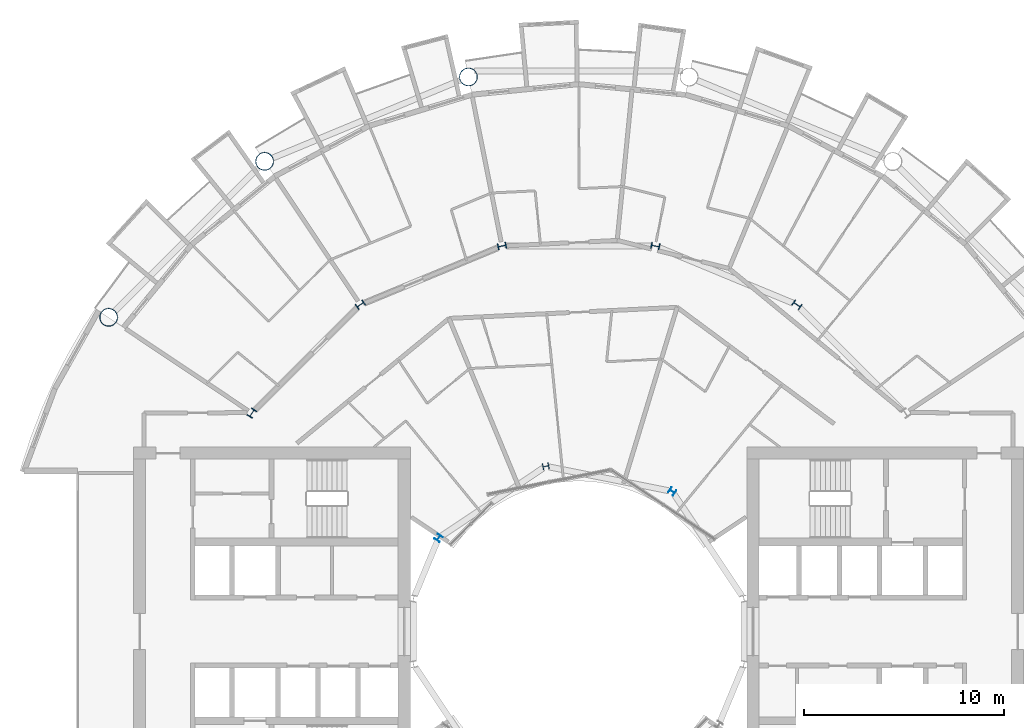
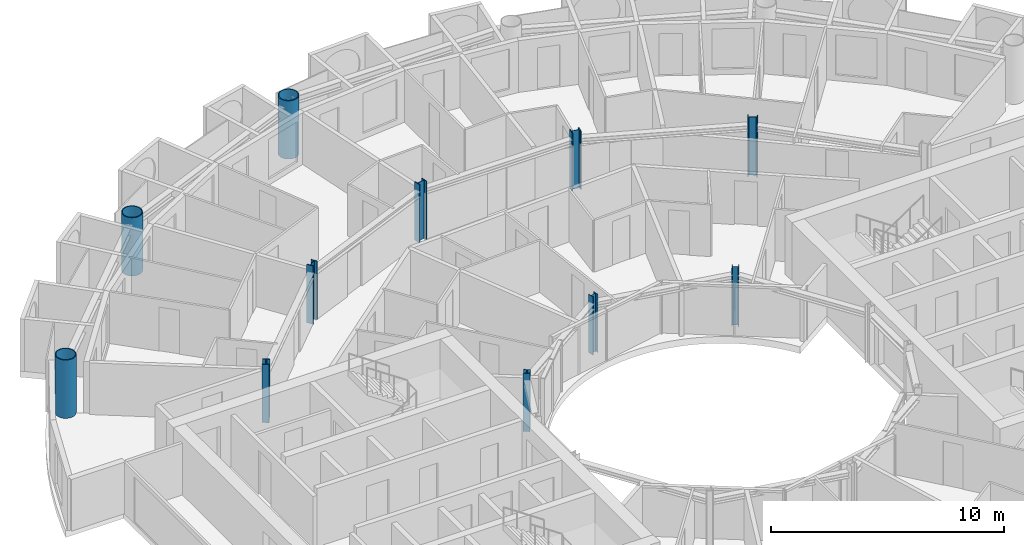
# One storey, part 3 of 27: 11 columns.
"""IFC4 building model written with IfcOpenShell, lengths in metres."""

from ifc_helpers import new_model, si_unit, direction, frame, origin, origin_2d, place, context, subcontext, project, spatial, hollow_circle, i_section, extrude, material, material_profile, profile_set, type_object, element, save


model = new_model("IFC4")

# Units and contexts
model_context = context("Model", 3, precision=1e-05, world=origin(), true_north=direction((0.0, 1.0)))
body_context = subcontext(model_context, "Body", "Model", "MODEL_VIEW")
ifc_project = project(units=[si_unit("LENGTHUNIT", "METRE"), si_unit("AREAUNIT", "SQUARE_METRE"), si_unit("VOLUMEUNIT", "CUBIC_METRE"), si_unit("PLANEANGLEUNIT", "RADIAN"), si_unit("MASSUNIT", "GRAM", prefix="KILO")], contexts=[model_context])

# Site, building, storey
site_placement = place(None, origin())
site = spatial("IfcSite", under=ifc_project, at=site_placement, CompositionType="ELEMENT")
building_placement = place(site_placement, origin())
building = spatial("IfcBuilding", under=site, at=building_placement, Name="Maasbend Ring Residences", CompositionType="ELEMENT")
storey_placement = place(building_placement, frame((0.0, 0.0, 111.64990234375)))
storey = spatial("IfcBuildingStorey", under=building, at=storey_placement, Name="L31", CompositionType="ELEMENT", Elevation=111.64990234375)

# Columns
ifc_material_1 = material(Name="Composite concrete-filled steel tube S460NH / C80/95", Category="concrete")
ifc_material_profile_1 = material_profile(ifc_material_1, hollow_circle(Radius=0.45703125, WallThickness=0.0400390625, at=origin_2d()), Name="Composite tube column CHS 914x40")
ifc_profile_set_1 = profile_set([ifc_material_profile_1], Name="Composite concrete-filled steel tube S460NH / C80/95")
column_type_1 = type_object("IfcColumnType", Name="Composite tube column CHS 914x40", PredefinedType="COLUMN", material=ifc_profile_set_1)
for number, where, z_axis, x_axis, name in (
    (1, (-5.50146484375, 27.658203125, 0.0), (0.0, 0.0, 1.0), (1.0, 0.0, 0.0), "Outer column R5"),
    (2, (-15.6669921875, 23.447509765625, 0.0), (0.0, 0.0, 1.0), (1.0, 0.0, 0.0), "Outer column R6"),
    (3, (-23.447509765625, 15.6669921875, 0.0), (0.0, 0.0, 1.0), (1.0, 0.0, 0.0), "Outer column R7"),
):
    element("IfcColumn", number, at=place(storey_placement, frame(where, z_axis=z_axis, x_axis=x_axis)), inside=storey, type_object=column_type_1, Name=name, PredefinedType="COLUMN", context=body_context, shape_type="SweptSolid", body=[
        extrude(hollow_circle(Radius=0.45703125, WallThickness=0.0400390625, at=origin_2d()), origin(), (0.0, 0.0, 1.0), 3.050048828125),
    ])
ifc_material_2 = material(Name="Steel S355J2", Category="steel")
ifc_material_profile_2 = material_profile(ifc_material_2, i_section(OverallWidth=0.300048828125, OverallDepth=0.300048828125, WebThickness=0.010986328125, FlangeThickness=0.01904296875, FilletRadius=0.027099609375, at=origin_2d()), Name="HEB 300")
ifc_profile_set_2 = profile_set([ifc_material_profile_2], Name="Steel S355J2")
column_type_2 = type_object("IfcColumnType", Name="Steel column HEB 300", PredefinedType="COLUMN", material=ifc_profile_set_2)
for number, where, z_axis, x_axis, name in (
    (4, (4.666748046875, 6.984375, 0.0), (0.0, 0.0, 1.0), (0.55557023302, 0.831469612303, 0.0), "Well ring column R3"),
    (5, (-1.638916015625, 8.238525390625, 0.0), (0.0, 0.0, 1.0), (-0.195090322016, 0.980785280403, 0.0), "Well ring column R5"),
    (6, (-6.984375, 4.666748046875, 0.0), (0.0, 0.0, 1.0), (-0.831469612303, 0.55557023302, 0.0), "Well ring column R7"),
):
    element("IfcColumn", number, at=place(storey_placement, frame(where, z_axis=z_axis, x_axis=x_axis)), inside=storey, type_object=column_type_2, Name=name, PredefinedType="COLUMN", context=body_context, shape_type="SweptSolid", body=[
        extrude(i_section(OverallWidth=0.300048828125, OverallDepth=0.300048828125, WebThickness=0.010986328125, FlangeThickness=0.01904296875, FilletRadius=0.027099609375, at=origin_2d()), origin(), (0.0, 0.0, 1.0), 3.050048828125),
    ])
ifc_material_3 = material(Name="Steel S460M", Category="steel")
ifc_material_profile_3 = material_profile(ifc_material_3, i_section(OverallWidth=0.306884765625, OverallDepth=0.431884765625, WebThickness=0.02099609375, FlangeThickness=0.0400390625, FilletRadius=0.027099609375, at=origin_2d()), Name="HEM 400")
ifc_profile_set_3 = profile_set([ifc_material_profile_3], Name="Steel S460M")
column_type_3 = type_object("IfcColumnType", Name="Steel column HEM 400", PredefinedType="COLUMN", material=ifc_profile_set_3)
for number, where, z_axis, x_axis, name in (
    (7, (10.88916015625, 16.296875, 0.0), (0.0, 0.0, 1.0), (0.55557023302, 0.831469612303, 0.0), "Corridor ring column R3"),
    (8, (3.82373046875, 19.223388671875, 0.0), (0.0, 0.0, 1.0), (0.195090322016, 0.980785280403, 0.0), "Corridor ring column R4"),
    (9, (-3.82373046875, 19.223388671875, 0.0), (0.0, 0.0, 1.0), (-0.195090322016, 0.980785280403, 0.0), "Corridor ring column R5"),
    (10, (-10.88916015625, 16.296875, 0.0), (0.0, 0.0, 1.0), (-0.55557023302, 0.831469612303, 0.0), "Corridor ring column R6"),
    (11, (-16.296875, 10.88916015625, 0.0), (0.0, 0.0, 1.0), (-0.831469612303, 0.55557023302, 0.0), "Corridor ring column R7"),
):
    element("IfcColumn", number, at=place(storey_placement, frame(where, z_axis=z_axis, x_axis=x_axis)), inside=storey, type_object=column_type_3, Name=name, PredefinedType="COLUMN", context=body_context, shape_type="SweptSolid", body=[
        extrude(i_section(OverallWidth=0.306884765625, OverallDepth=0.431884765625, WebThickness=0.02099609375, FlangeThickness=0.0400390625, FilletRadius=0.027099609375, at=origin_2d()), origin(), (0.0, 0.0, 1.0), 3.050048828125),
    ])

save(model, "model.ifc")
